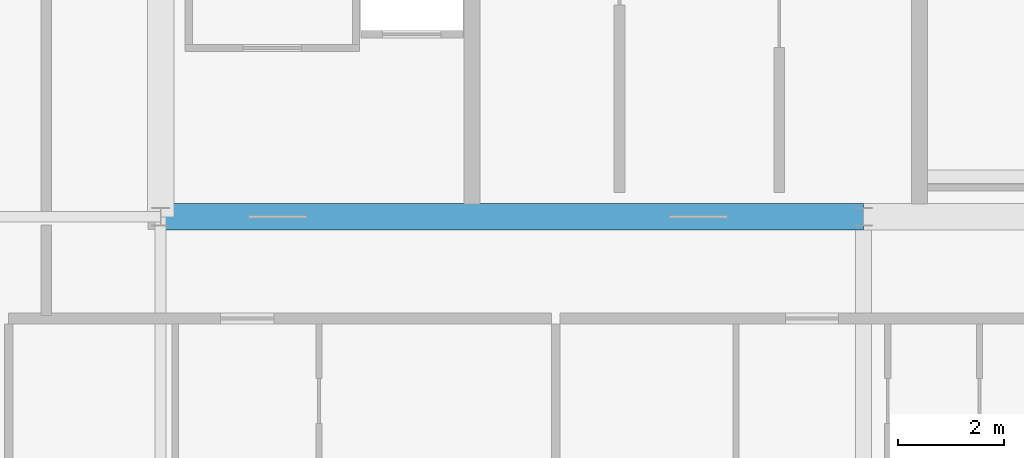
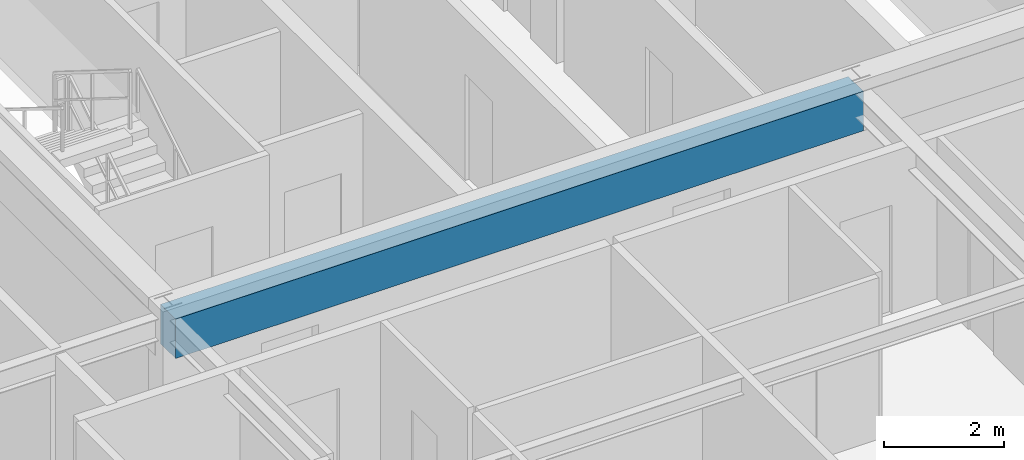
# One storey, part 7 of 35: 1 beam.
"""IFC4 building model written with IfcOpenShell, lengths in metres."""

from ifc_helpers import new_model, si_unit, direction, frame, origin, origin_2d, place, context, subcontext, project, spatial, rectangle, extrude, source, transform, mapped, material, material_profile, profile_set, type_object, element, save


model = new_model("IFC4")

# Units and contexts
model_context = context("Model", 3, precision=1e-05, world=origin(), true_north=direction((0.0, 1.0)))
body_context = subcontext(model_context, "Body", "Model", "MODEL_VIEW")
ifc_project = project(units=[si_unit("LENGTHUNIT", "METRE"), si_unit("AREAUNIT", "SQUARE_METRE"), si_unit("VOLUMEUNIT", "CUBIC_METRE"), si_unit("PLANEANGLEUNIT", "RADIAN"), si_unit("MASSUNIT", "GRAM", prefix="KILO"), si_unit("THERMODYNAMICTEMPERATUREUNIT", "KELVIN"), si_unit("POWERUNIT", "WATT")], contexts=[model_context])

# Site, building, storey
site_placement = place(None, origin())
site = spatial("IfcSite", under=ifc_project, at=site_placement, CompositionType="ELEMENT")
building_placement = place(site_placement, origin())
building = spatial("IfcBuilding", under=site, at=building_placement, Name="Yuzanri Waterfront Tower", CompositionType="ELEMENT")
storey_placement = place(building_placement, frame((0.0, 0.0, 311.199951171875)))
storey = spatial("IfcBuildingStorey", under=building, at=storey_placement, Name="L83", CompositionType="ELEMENT", Elevation=311.199951171875)

# Beam
ifc_material = material(Name="Concrete C50", Category="concrete")
ifc_material_profile = material_profile(ifc_material, rectangle(XDim=0.5, YDim=0.800048828125, at=origin_2d()), Name="RC 500x800")
ifc_profile_set = profile_set([ifc_material_profile], Name="Concrete C50")
beam_type = type_object("IfcBeamType", Name="Core Coupling Lintel Concrete C50 500x800", PredefinedType="LINTEL", material=ifc_profile_set)
shared_shape = source(origin(), body_context, "Body", "SweptSolid", [
    extrude(rectangle(XDim=0.5, YDim=0.800048828125, at=origin_2d()), origin(), (0.0, 0.0, 1.0), 13.199951171875),
])
beam_placement = place(storey_placement, frame((23.800048828125, 19.39990234375, 2.880126953125), z_axis=(1.0, 0.0, 0.0), x_axis=(0.0, 1.0, 0.0)))
element("IfcBeam", 1, at=beam_placement, inside=storey, type_object=beam_type, Name="L83 Core Tie Beam CS1", PredefinedType="LINTEL", context=body_context, shape_type="MappedRepresentation", body=[
    mapped(shared_shape, transform((0.0, 0.0, 0.0), scale=1.0)),
])

save(model, "model.ifc")
